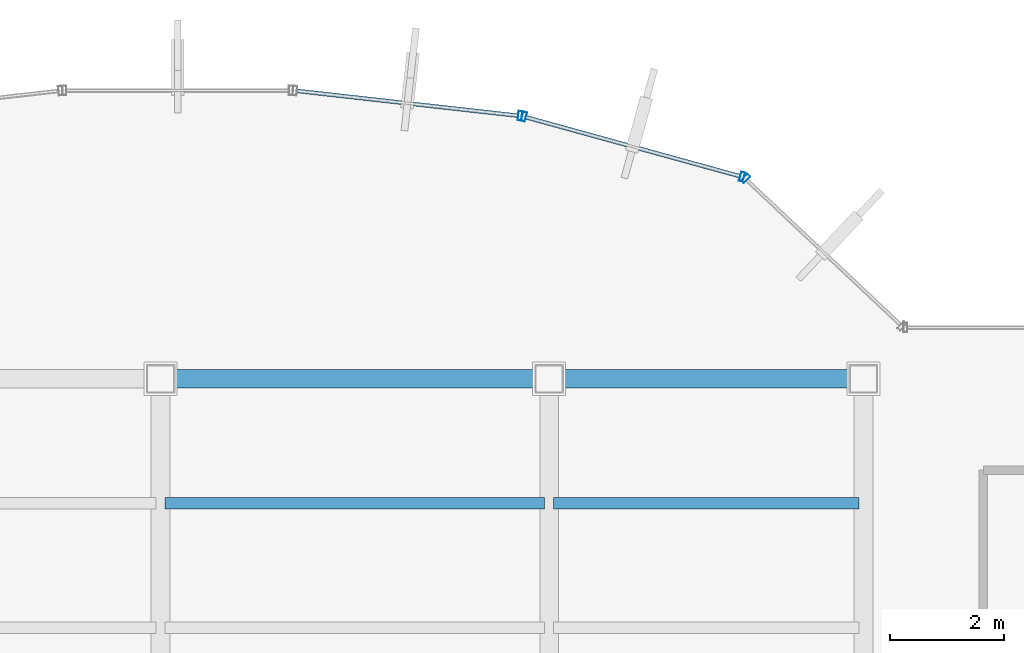
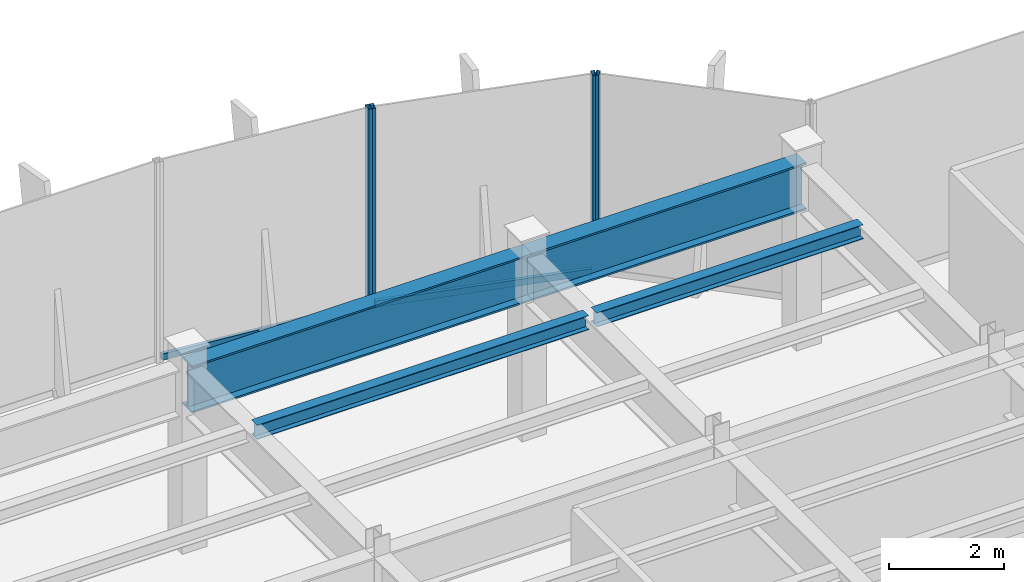
# One storey, part 16 of 24: 6 members, 4 beams, 3 elements without a shape of their own.
"""IFC4 building model written with IfcOpenShell, lengths in metres."""

from ifc_helpers import new_model, si_unit, derived_unit, direction, frame, origin, origin_2d, place, context, subcontext, project, spatial, hollow_rectangle, i_section, extrude, source, transform, mapped, material, material_profile, profile_set, type_object, element, aggregate, save


model = new_model("IFC4")

# Units and contexts
model_context = context("Model", 3, precision=1e-05, world=origin(), true_north=direction((0.0, 1.0)))
body_context = subcontext(model_context, "Body", "Model", "MODEL_VIEW")
ifc_project = project(units=[si_unit("LENGTHUNIT", "METRE"), si_unit("AREAUNIT", "SQUARE_METRE"), si_unit("VOLUMEUNIT", "CUBIC_METRE"), si_unit("PLANEANGLEUNIT", "RADIAN"), si_unit("MASSUNIT", "GRAM", prefix="KILO"), derived_unit("THERMALTRANSMITTANCEUNIT", [(si_unit("POWERUNIT", "WATT"), 1), (si_unit("LENGTHUNIT", "METRE"), -2), (si_unit("THERMODYNAMICTEMPERATUREUNIT", "KELVIN"), -1)])], contexts=[model_context])

# Site, building, storey
site_placement = place(None, origin())
site = spatial("IfcSite", under=ifc_project, at=site_placement, CompositionType="ELEMENT")
building_placement = place(site_placement, origin())
building = spatial("IfcBuilding", under=site, at=building_placement, Name="Skarnbrae Concourse Arena and Tower", CompositionType="ELEMENT")
storey_placement = place(building_placement, frame((0.0, 0.0, 288.0)))
storey = spatial("IfcBuildingStorey", under=building, at=storey_placement, Name="L75", CompositionType="ELEMENT", Elevation=288.0)

# Beams
ifc_material_1 = material(Name="Steel CSA G40.21 350W", Category="steel")
ifc_material_profile_1 = material_profile(ifc_material_1, i_section(OverallWidth=0.327880859375, OverallDepth=1.0, WebThickness=0.02099609375, FlangeThickness=0.03759765625, at=origin_2d()), Name="W1000X371")
ifc_profile_set_1 = profile_set([ifc_material_profile_1], Name="Steel CSA G40.21 350W")
beam_type_1 = type_object("IfcBeamType", Name="BM-XFER-W1000X371", PredefinedType="BEAM", material=ifc_profile_set_1)
shared_shape_1 = source(origin(), body_context, "Body", "SweptSolid", [
    extrude(i_section(OverallWidth=0.327880859375, OverallDepth=1.0, WebThickness=0.02099609375, FlangeThickness=0.03759765625, at=origin_2d()), origin(), (0.0, 0.0, 1.0), 6.800048828125),
])
beam_1_placement = place(storey_placement, frame((21.199951171875, 34.39990234375, 3.35009765625), z_axis=(1.0, 0.0, 0.0), x_axis=(0.0, 1.0, 0.0)))
element("IfcBeam", 1, at=beam_1_placement, inside=storey, type_object=beam_type_1, Name="L75 Perimeter spandrel Y34.4-3", PredefinedType="BEAM", context=body_context, shape_type="MappedRepresentation", body=[
    mapped(shared_shape_1, transform((0.0, 0.0, 0.0))),
])
shared_shape_2 = source(origin(), body_context, "Body", "SweptSolid", [
    extrude(i_section(OverallWidth=0.327880859375, OverallDepth=1.0, WebThickness=0.02099609375, FlangeThickness=0.03759765625, at=origin_2d()), origin(), (0.0, 0.0, 1.0), 5.5),
])
beam_2_placement = place(storey_placement, frame((28.0, 34.39990234375, 3.35009765625), z_axis=(1.0, 0.0, 0.0), x_axis=(0.0, 1.0, 0.0)))
element("IfcBeam", 2, at=beam_2_placement, inside=storey, type_object=beam_type_1, Name="L75 Perimeter spandrel Y34.4-4", PredefinedType="BEAM", context=body_context, shape_type="MappedRepresentation", body=[
    mapped(shared_shape_2, transform((0.0, 0.0, 0.0))),
])
ifc_material_profile_2 = material_profile(ifc_material_1, i_section(OverallWidth=0.202880859375, OverallDepth=0.302978515625, WebThickness=0.007568359375, FlangeThickness=0.01318359375, at=origin_2d()), Name="W310X60")
ifc_profile_set_2 = profile_set([ifc_material_profile_2], Name="Steel CSA G40.21 350W")
beam_type_2 = type_object("IfcBeamType", Name="BM-JOIST-W310X60", PredefinedType="JOIST", material=ifc_profile_set_2)
shared_shape_3 = source(origin(), body_context, "Body", "SweptSolid", [
    extrude(i_section(OverallWidth=0.202880859375, OverallDepth=0.302978515625, WebThickness=0.007568359375, FlangeThickness=0.01318359375, at=origin_2d()), origin(), (0.0, 0.0, 1.0), 6.639892578125),
])
beam_3_placement = place(storey_placement, frame((21.280029296875, 32.221923828125, 3.698486328125), z_axis=(1.0, 0.0, 0.0), x_axis=(0.0, 1.0, 0.0)))
element("IfcBeam", 3, at=beam_3_placement, inside=storey, type_object=beam_type_2, Name="L75 Secondary floor joist 3.2.3", PredefinedType="JOIST", context=body_context, shape_type="MappedRepresentation", body=[
    mapped(shared_shape_3, transform((0.0, 0.0, 0.0))),
])
shared_shape_4 = source(origin(), body_context, "Body", "SweptSolid", [
    extrude(i_section(OverallWidth=0.202880859375, OverallDepth=0.302978515625, WebThickness=0.007568359375, FlangeThickness=0.01318359375, at=origin_2d()), origin(), (0.0, 0.0, 1.0), 5.33984375),
])
beam_4_placement = place(storey_placement, frame((28.080078125, 32.221923828125, 3.698486328125), z_axis=(1.0, 0.0, 0.0), x_axis=(0.0, 1.0, 0.0)))
element("IfcBeam", 4, at=beam_4_placement, inside=storey, type_object=beam_type_2, Name="L75 Secondary floor joist 3.2.4", PredefinedType="JOIST", context=body_context, shape_type="MappedRepresentation", body=[
    mapped(shared_shape_4, transform((0.0, 0.0, 0.0))),
])

# Curtain wall, member
ifc_material_2 = material(Name="Bronze anodised aluminium 6063-T6", Category="aluminium")
curtain_wall_type = type_object("IfcCurtainWallType", Name="CW-SYS-06-SKYLOBBY", PredefinedType="USERDEFINED", material=ifc_material_2)
curtain_wall_1_placement = place(storey_placement, origin())
curtain_wall_1 = element("IfcCurtainWall", 5, at=curtain_wall_1_placement, inside=storey, type_object=curtain_wall_type, Name="L75 Unitised curtain wall CW-L75-E08", ObjectType="UNITISED CURTAIN WALL", PredefinedType="USERDEFINED")
ifc_material_profile_3 = material_profile(ifc_material_2, hollow_rectangle(XDim=0.070068359375, YDim=0.1650390625, WallThickness=0.00390625, at=origin_2d()), Name="ALU-MULL-70X165")
ifc_profile_set_3 = profile_set([ifc_material_profile_3], Name="Bronze anodised aluminium 6063-T6")
member_type_1 = type_object("IfcMemberType", Name="CWM-CW-06", PredefinedType="MULLION", material=ifc_profile_set_3)
shared_shape_5 = source(origin(), body_context, "Body", "SweptSolid", [
    extrude(hollow_rectangle(XDim=0.070068359375, YDim=0.1650390625, WallThickness=0.00390625, at=origin_2d()), origin(), (0.0, 0.0, 1.0), 4.25),
])
member_1_placement = place(storey_placement, frame((31.435302734375, 37.902587890625, 0.0), z_axis=(0.0, 0.0, 1.0), x_axis=(-0.728130555214, 0.685438468838, 0.0)))
member_1 = element("IfcMember", 6, at=member_1_placement, type_object=member_type_1, Name="CW-L75-E08 Mullion 2", PredefinedType="MULLION", context=body_context, shape_type="MappedRepresentation", body=[
    mapped(shared_shape_5, transform((0.0, 0.0, 0.0))),
])
aggregate(curtain_wall_1, [member_1])

# Curtain wall, members
curtain_wall_2_placement = place(storey_placement, origin())
curtain_wall_2 = element("IfcCurtainWall", 7, at=curtain_wall_2_placement, inside=storey, type_object=curtain_wall_type, Name="L75 Unitised curtain wall CW-L75-E09", ObjectType="UNITISED CURTAIN WALL", PredefinedType="USERDEFINED")
member_2_placement = place(storey_placement, frame((31.3759765625, 37.93603515625, 0.0), z_axis=(0.0, 0.0, 1.0), x_axis=(-0.964057388766, 0.265694093207, 0.0)))
member_2 = element("IfcMember", 8, at=member_2_placement, type_object=member_type_1, Name="CW-L75-E09 Mullion 1", PredefinedType="MULLION", context=body_context, shape_type="MappedRepresentation", body=[
    mapped(shared_shape_5, transform((0.0, 0.0, 0.0))),
])
member_3_placement = place(storey_placement, frame((27.5595703125, 38.98779296875, 0.0), z_axis=(0.0, 0.0, 1.0), x_axis=(-0.964057388766, 0.265694093207, 0.0)))
member_3 = element("IfcMember", 9, at=member_3_placement, type_object=member_type_1, Name="CW-L75-E09 Mullion 2", PredefinedType="MULLION", context=body_context, shape_type="MappedRepresentation", body=[
    mapped(shared_shape_5, transform((0.0, 0.0, 0.0))),
])

# Curtain wall, member
curtain_wall_3_placement = place(storey_placement, origin())
curtain_wall_3 = element("IfcCurtainWall", 10, at=curtain_wall_3_placement, inside=storey, type_object=curtain_wall_type, Name="L75 Unitised curtain wall CW-L75-E10", ObjectType="UNITISED CURTAIN WALL", PredefinedType="USERDEFINED")
member_4_placement = place(storey_placement, frame((27.490966796875, 39.0009765625, 0.0), z_axis=(0.0, 0.0, 1.0), x_axis=(-0.993768891873, 0.111460259941, 0.0)))
member_4 = element("IfcMember", 11, at=member_4_placement, type_object=member_type_1, Name="CW-L75-E10 Mullion 1", PredefinedType="MULLION", context=body_context, shape_type="MappedRepresentation", body=[
    mapped(shared_shape_5, transform((0.0, 0.0, 0.0))),
])

# Member
ifc_material_profile_4 = material_profile(ifc_material_2, hollow_rectangle(XDim=0.070068359375, YDim=0.135009765625, WallThickness=0.00390625, at=origin_2d()), Name="ALU-TRAN-70X135")
ifc_profile_set_4 = profile_set([ifc_material_profile_4], Name="Bronze anodised aluminium 6063-T6")
member_type_2 = type_object("IfcMemberType", Name="CWT-CW-06", PredefinedType="USERDEFINED", material=ifc_profile_set_4)
shared_shape_6 = source(origin(), body_context, "Body", "SweptSolid", [
    extrude(hollow_rectangle(XDim=0.070068359375, YDim=0.135009765625, WallThickness=0.00390625, at=origin_2d()), origin(), (0.0, 0.0, 1.0), 3.888671875),
])
member_5_placement = place(storey_placement, frame((31.34228515625, 37.9453125, 0.0673828125), z_axis=(-0.964059183994, 0.26568757923, 0.0), x_axis=(-0.26568757923, -0.964059183994, 0.0)))
member_5 = element("IfcMember", 12, at=member_5_placement, type_object=member_type_2, Name="CW-L75-E09 Transom 1", ObjectType="TRANSOM", PredefinedType="USERDEFINED", context=body_context, shape_type="MappedRepresentation", body=[
    mapped(shared_shape_6, transform((0.0, 0.0, 0.0))),
])

aggregate(curtain_wall_2, [member_2, member_3, member_5])

shared_shape_7 = source(origin(), body_context, "Body", "SweptSolid", [
    extrude(hollow_rectangle(XDim=0.070068359375, YDim=0.135009765625, WallThickness=0.00390625, at=origin_2d()), origin(), (0.0, 0.0, 1.0), 3.8935546875),
])
member_6_placement = place(storey_placement, frame((27.456298828125, 39.0048828125, 0.0673828125), z_axis=(-0.99376618391, 0.111484401224, 0.0), x_axis=(-0.111484401224, -0.99376618391, 0.0)))
member_6 = element("IfcMember", 13, at=member_6_placement, type_object=member_type_2, Name="CW-L75-E10 Transom 1", ObjectType="TRANSOM", PredefinedType="USERDEFINED", context=body_context, shape_type="MappedRepresentation", body=[
    mapped(shared_shape_7, transform((0.0, 0.0, 0.0))),
])

aggregate(curtain_wall_3, [member_4, member_6])

save(model, "model.ifc")
